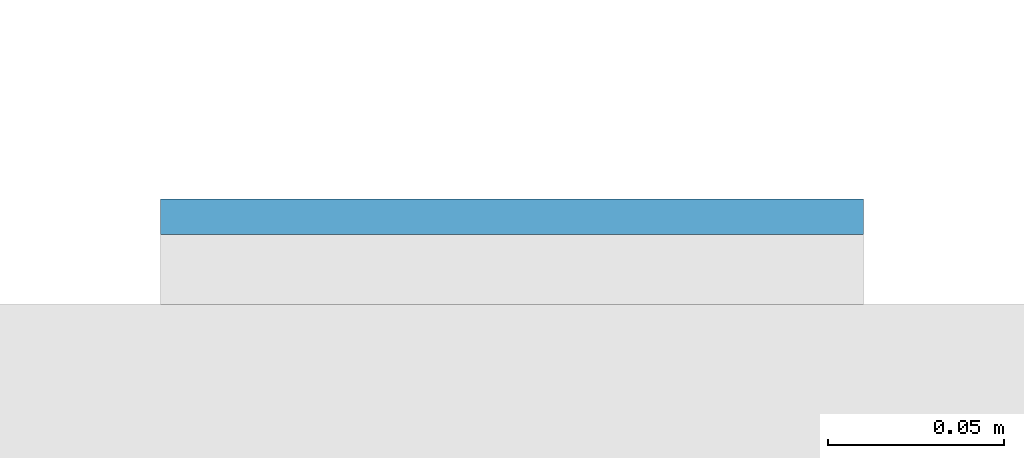
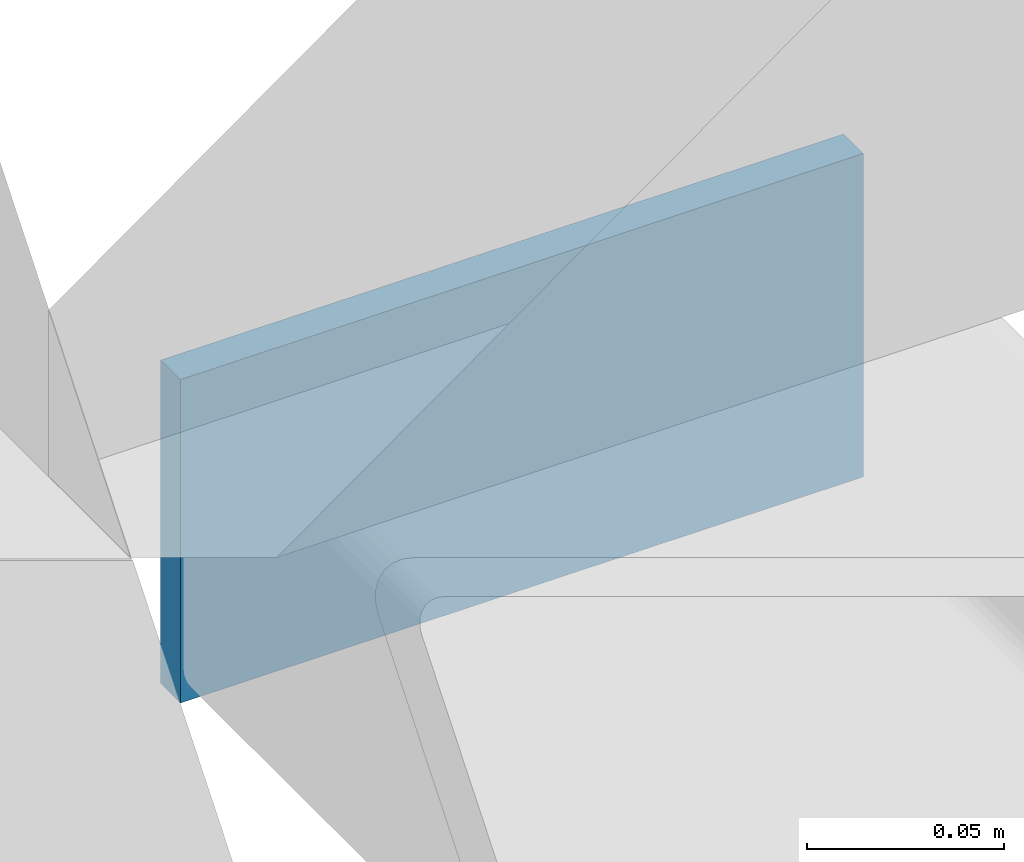
# One storey, part 11 of 20: 1 plate.
"""IFC4 building model written with IfcOpenShell, lengths in metres."""

from ifc_helpers import new_model, si_unit, direction, frame, origin, origin_2d, place, context, subcontext, project, spatial, rectangle, extrude, material, layer, layer_set, type_object, element, save


model = new_model("IFC4")

# Units and contexts
model_context = context("Model", 3, precision=1e-05, world=origin(), true_north=direction((0.0, 1.0)))
body_context = subcontext(model_context, "Body", "Model", "MODEL_VIEW")
ifc_project = project(units=[si_unit("LENGTHUNIT", "METRE"), si_unit("AREAUNIT", "SQUARE_METRE"), si_unit("VOLUMEUNIT", "CUBIC_METRE"), si_unit("PLANEANGLEUNIT", "RADIAN"), si_unit("MASSUNIT", "GRAM", prefix="KILO")], contexts=[model_context])

# Site, building, storey
site_placement = place(None, origin())
site = spatial("IfcSite", under=ifc_project, at=site_placement, CompositionType="ELEMENT")
building_placement = place(site_placement, origin())
building = spatial("IfcBuilding", under=site, at=building_placement, Name="Cleftline Residences", CompositionType="ELEMENT")
storey_placement = place(building_placement, frame((0.0, 0.0, 139.39990234375)))
storey = spatial("IfcBuildingStorey", under=building, at=storey_placement, Name="L36", CompositionType="ELEMENT", Elevation=139.39990234375)

# Plate
ifc_material = material(Name="Steel S355, hot-dip galvanised", Category="steel")
ifc_layer = layer(ifc_material, 0.010009765625)
ifc_layer_set = layer_set([ifc_layer], Name="BAGUETTE CARRIER END PLATE 200X100X10")
plate_type = type_object("IfcPlateType", Name="BAGUETTE CARRIER END PLATE 200X100X10", PredefinedType="USERDEFINED", material=ifc_layer_set)
plate_placement = place(storey_placement, frame((66.85009765625, 44.304931640625, -0.099853515625), z_axis=(0.0, 0.0, 1.0), x_axis=(1.0, 0.0, 0.0)))
element("IfcPlate", 1, at=plate_placement, inside=storey, type_object=plate_type, Name="Baguette carrier end plate", ObjectType="BAGUETTE CARRIER END PLATE", PredefinedType="USERDEFINED", context=body_context, shape_type="SweptSolid", body=[
    extrude(rectangle(XDim=0.199951171875, YDim=0.010009765625, at=origin_2d()), origin(), (0.0, 0.0, 1.0), 0.10009765625),
])

save(model, "model.ifc")
